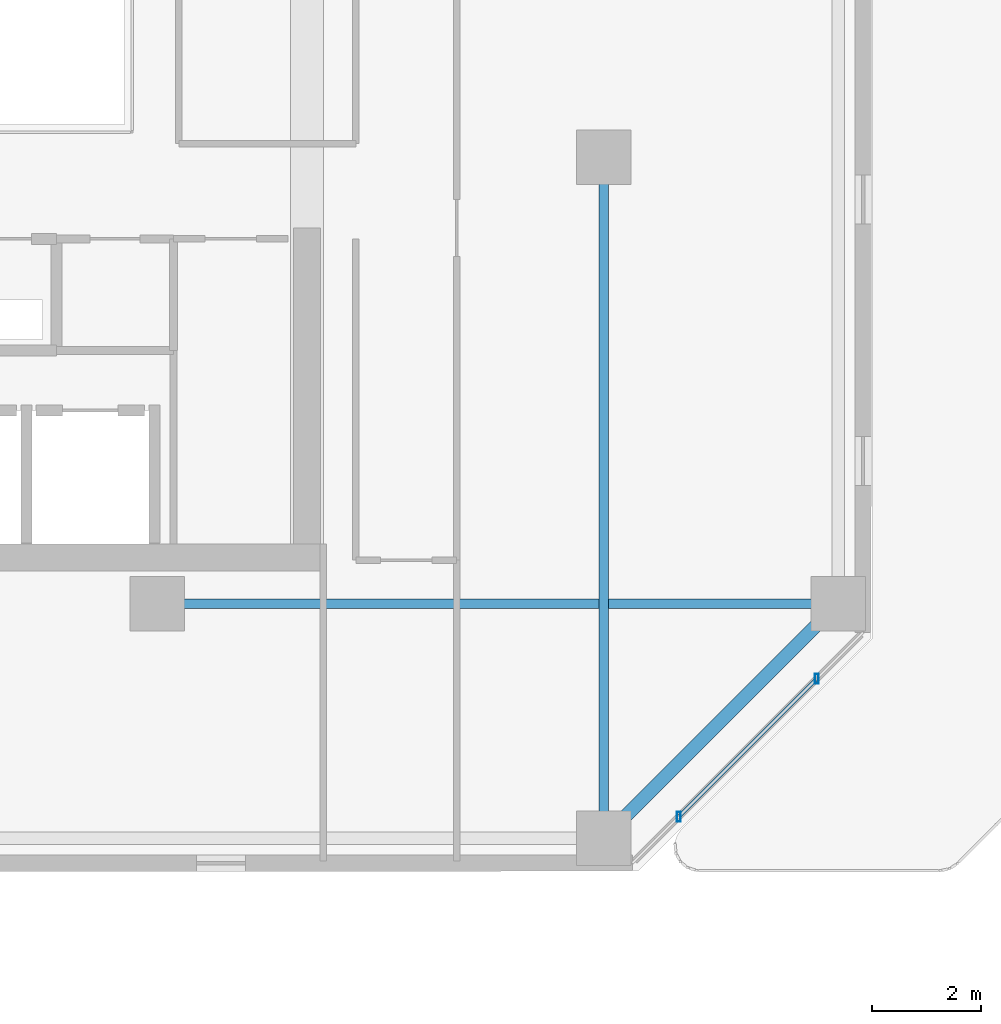
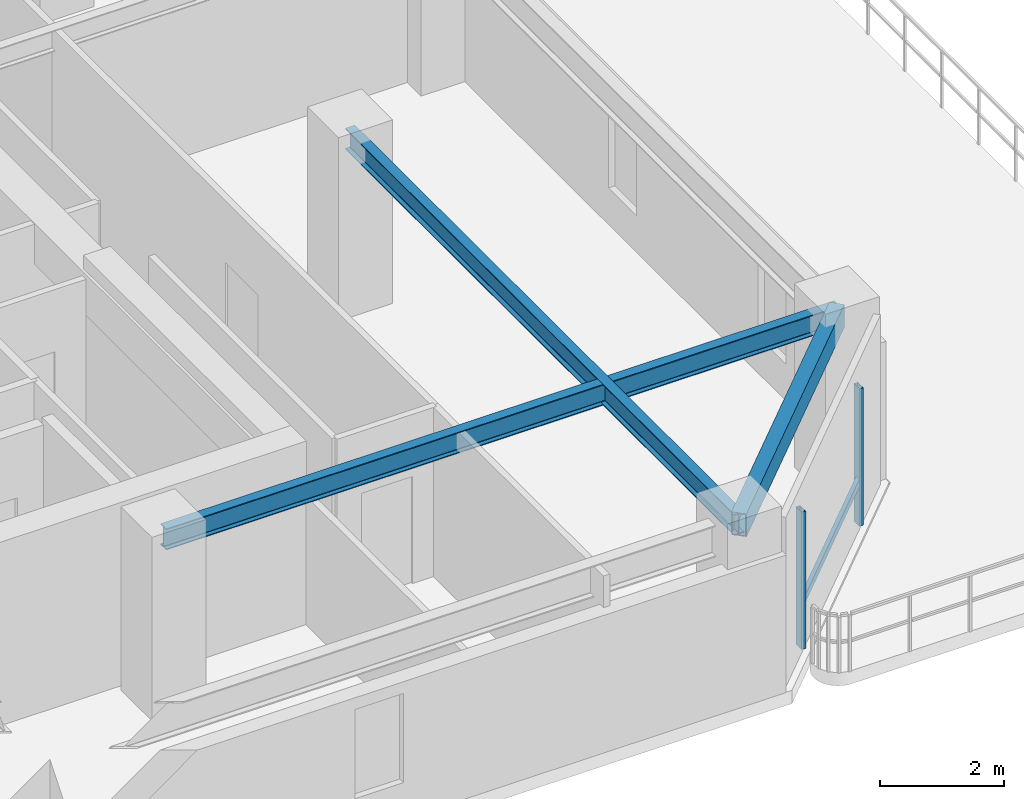
# One storey, part 5 of 32: 3 beams, 3 members, 1 element without a shape of its own.
"""IFC4 building model written with IfcOpenShell, lengths in metres."""

from ifc_helpers import new_model, si_unit, direction, frame, origin, origin_2d, place, context, subcontext, project, spatial, hollow_rectangle, i_section, extrude, material, material_profile, profile_set, type_object, element, aggregate, save


model = new_model("IFC4")

# Units and contexts
model_context = context("Model", 3, precision=1e-05, world=origin(), true_north=direction((0.0, 1.0)))
body_context = subcontext(model_context, "Body", "Model", "MODEL_VIEW")
ifc_project = project(units=[si_unit("LENGTHUNIT", "METRE"), si_unit("AREAUNIT", "SQUARE_METRE"), si_unit("VOLUMEUNIT", "CUBIC_METRE"), si_unit("PLANEANGLEUNIT", "RADIAN"), si_unit("MASSUNIT", "GRAM", prefix="KILO")], contexts=[model_context])

# Site, building, storey
site_placement = place(None, origin())
site = spatial("IfcSite", under=ifc_project, at=site_placement, CompositionType="ELEMENT")
building_placement = place(site_placement, origin())
building = spatial("IfcBuilding", under=site, at=building_placement, Name="Thornwick Lancets Civic Towers", CompositionType="ELEMENT")
storey_placement = place(building_placement, frame((0.0, 0.0, 200.10009765625)))
storey = spatial("IfcBuildingStorey", under=building, at=storey_placement, Name="L53", CompositionType="ELEMENT", Elevation=200.10009765625)

# Beams
ifc_material_1 = material(Name="Steel S355JR", Category="steel")
ifc_material_profile_1 = material_profile(ifc_material_1, i_section(OverallWidth=0.179443359375, OverallDepth=0.412841796875, WebThickness=0.009521484375, FlangeThickness=0.01611328125, FilletRadius=0.01025390625, at=origin_2d()), Name="UKB 406x178x74")
ifc_profile_set_1 = profile_set([ifc_material_profile_1], Name="Steel S355JR")
beam_type_1 = type_object("IfcBeamType", Name="BM_JOIST_406_74", PredefinedType="JOIST", material=ifc_profile_set_1)
for number, where, z_axis, x_axis, name in (
    (1, (38.5, 22.199951171875, 3.133544921875), (0.0, -1.0, 0.0), (1.0, 0.0, 0.0), "BM-RADIN-L53-A03"),
    (2, (30.300048828125, 14.0, 3.133544921875), (1.0, 0.0, 0.0), (0.0, 1.0, 0.0), "BM-RADIN-L53-A04"),
):
    element("IfcBeam", number, at=place(storey_placement, frame(where, z_axis=z_axis, x_axis=x_axis)), inside=storey, type_object=beam_type_1, Name=name, PredefinedType="JOIST", context=body_context, shape_type="SweptSolid", body=[
        extrude(i_section(OverallWidth=0.179443359375, OverallDepth=0.412841796875, WebThickness=0.009521484375, FlangeThickness=0.01611328125, FilletRadius=0.01025390625, at=origin_2d()), origin(), (0.0, 0.0, 1.0), 12.5),
    ])
ifc_material_profile_2 = material_profile(ifc_material_1, hollow_rectangle(XDim=0.25, YDim=0.449951171875, WallThickness=0.01611328125, at=origin_2d()), Name="RHS 450x250x16")
ifc_profile_set_2 = profile_set([ifc_material_profile_2], Name="Steel S355JR")
beam_type_2 = type_object("IfcBeamType", Name="BM_RING_RHS450", PredefinedType="BEAM", material=ifc_profile_set_2)
beam_placement = place(storey_placement, frame((38.5, 9.699951171875, 3.114990234375), z_axis=(0.707106781187, 0.707106781187, 0.0), x_axis=(-0.707106781187, 0.707106781187, 0.0)))
element("IfcBeam", 3, at=beam_placement, inside=storey, type_object=beam_type_2, Name="BM-CHAMF-L53-A-C0", PredefinedType="BEAM", context=body_context, shape_type="SweptSolid", body=[
    extrude(hollow_rectangle(XDim=0.25, YDim=0.449951171875, WallThickness=0.01611328125, at=origin_2d()), origin(), (0.0, 0.0, 1.0), 6.081298828125),
])

# Curtain wall, members
ifc_material_2 = material(Name="High-zone chamfered-corner unitised glass curtain wall", Category="glass")
curtain_wall_type = type_object("IfcCurtainWallType", Name="CW_SYS_05", PredefinedType="NOTDEFINED", material=ifc_material_2)
curtain_wall_placement = place(storey_placement, origin())
curtain_wall = element("IfcCurtainWall", 4, at=curtain_wall_placement, inside=storey, type_object=curtain_wall_type, Name="L53 Curtain Wall CW-L53-A-E1", PredefinedType="NOTDEFINED")
ifc_material_3 = material(Name="Thermally broken bronze aluminium S355", Category="steel")
ifc_material_profile_3 = material_profile(ifc_material_3, hollow_rectangle(XDim=0.074951171875, YDim=0.179931640625, WallThickness=0.006103515625, at=origin_2d()), Name="RHS 180x75x6")
ifc_profile_set_3 = profile_set([ifc_material_profile_3], Name="Thermally broken bronze aluminium S355")
member_type_1 = type_object("IfcMemberType", Name="CW_MUL_180", PredefinedType="MULLION", material=ifc_profile_set_3)
member_1_placement = place(storey_placement, frame((39.87646484375, 10.09130859375, 0.0), z_axis=(0.0, 0.0, 1.0), x_axis=(1.0, 0.0, 0.0)))
member_1 = element("IfcMember", 5, at=member_1_placement, type_object=member_type_1, Name="CW-L53-A-E1 Mullion 0", PredefinedType="MULLION", context=body_context, shape_type="SweptSolid", body=[
    extrude(hollow_rectangle(XDim=0.074951171875, YDim=0.179931640625, WallThickness=0.006103515625, at=origin_2d()), origin(), (0.0, 0.0, 1.0), 2.699951171875),
])
member_2_placement = place(storey_placement, frame((42.40869140625, 12.62353515625, 0.0), z_axis=(0.0, 0.0, 1.0), x_axis=(1.0, 0.0, 0.0)))
member_2 = element("IfcMember", 6, at=member_2_placement, type_object=member_type_1, Name="CW-L53-A-E1 Mullion 1", PredefinedType="MULLION", context=body_context, shape_type="SweptSolid", body=[
    extrude(hollow_rectangle(XDim=0.074951171875, YDim=0.179931640625, WallThickness=0.006103515625, at=origin_2d()), origin(), (0.0, 0.0, 1.0), 2.699951171875),
])
ifc_material_profile_4 = material_profile(ifc_material_3, hollow_rectangle(XDim=0.074951171875, YDim=0.14990234375, WallThickness=0.0048828125, at=origin_2d()), Name="RHS 150x75x5")
ifc_profile_set_4 = profile_set([ifc_material_profile_4], Name="Thermally broken bronze aluminium S355")
member_type_2 = type_object("IfcMemberType", Name="CW_TRN_150", PredefinedType="USERDEFINED", material=ifc_profile_set_4)
member_3_placement = place(storey_placement, frame((39.890625, 10.10546875, 0.849853515625), z_axis=(0.707106781187, 0.707106781187, 0.0), x_axis=(-0.707106781187, 0.707106781187, 0.0)))
member_3 = element("IfcMember", 7, at=member_3_placement, type_object=member_type_2, Name="CW-L53-A-E1 Transom 0", ObjectType="TRANSOM", PredefinedType="USERDEFINED", context=body_context, shape_type="SweptSolid", body=[
    extrude(hollow_rectangle(XDim=0.074951171875, YDim=0.14990234375, WallThickness=0.0048828125, at=origin_2d()), origin(), (0.0, 0.0, 1.0), 3.541015625),
])
aggregate(curtain_wall, [member_1, member_2, member_3])

save(model, "model.ifc")
